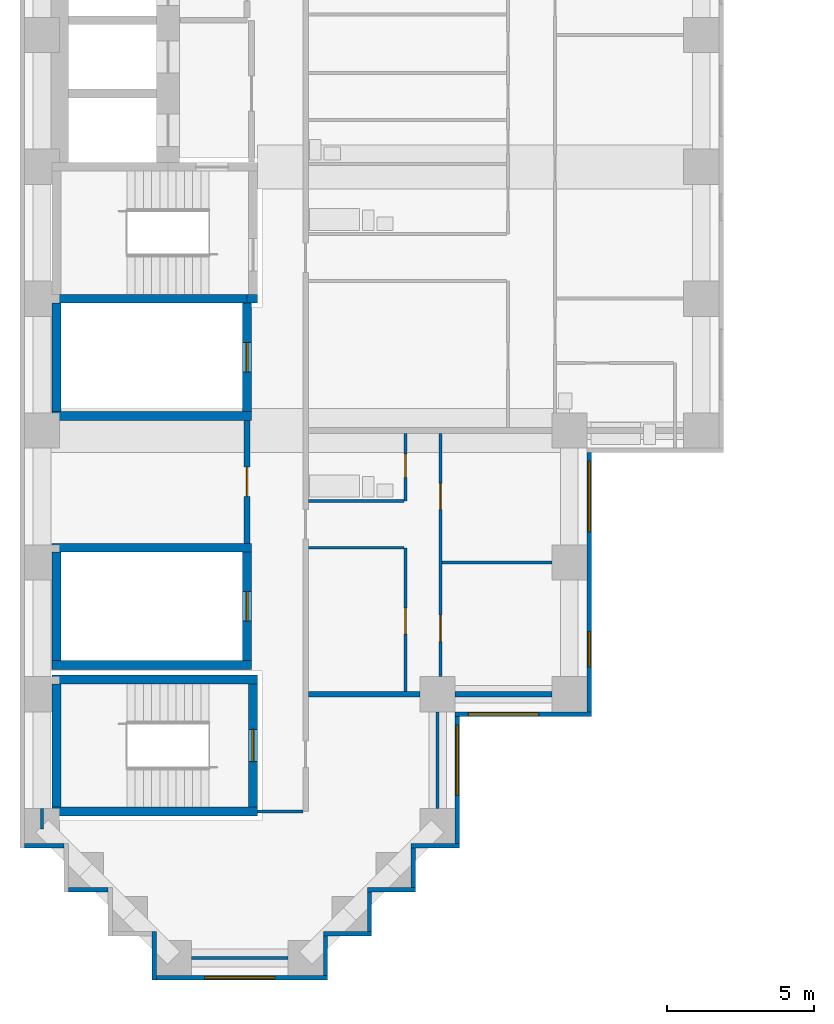
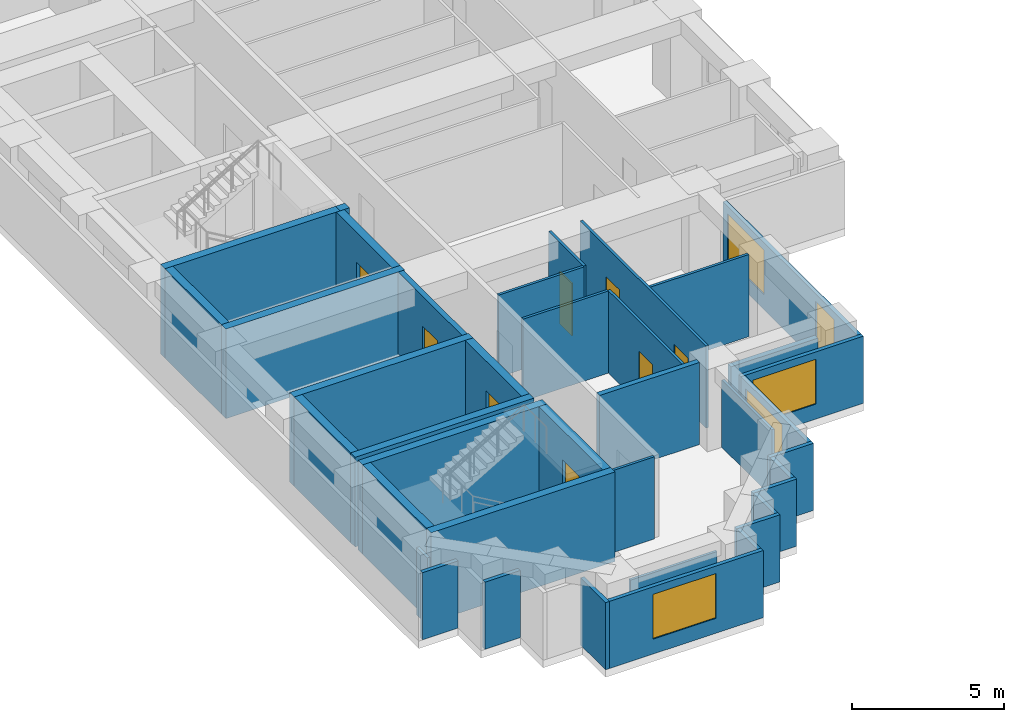
# One storey, part 2 of 12: 39 walls, 8 doors, 5 windows, 13 openings.
"""IFC4 building model written with IfcOpenShell, lengths in metres."""

from ifc_helpers import new_model, si_unit, direction, frame, frame_2d, origin, place, context, subcontext, project, spatial, rectangle, extrude, material, layer, layer_set, type_object, element, fill, save


model = new_model("IFC4")

# Units and contexts
model_context = context("Model", 3, precision=1e-05, world=origin(), true_north=direction((0.0, 1.0)))
body_context = subcontext(model_context, "Body", "Model", "MODEL_VIEW")
ifc_project = project(units=[si_unit("LENGTHUNIT", "METRE"), si_unit("AREAUNIT", "SQUARE_METRE"), si_unit("VOLUMEUNIT", "CUBIC_METRE"), si_unit("PLANEANGLEUNIT", "RADIAN"), si_unit("MASSUNIT", "GRAM", prefix="KILO")], contexts=[model_context])

# Site, building, storey
site_placement = place(None, origin())
site = spatial("IfcSite", under=ifc_project, at=site_placement, CompositionType="ELEMENT")
building_placement = place(site_placement, origin())
building = spatial("IfcBuilding", under=site, at=building_placement, Name="Firuza Court", CompositionType="ELEMENT")
storey_placement = place(building_placement, frame((0.0, 0.0, 101.0)))
storey = spatial("IfcBuildingStorey", under=building, at=storey_placement, Name="L25", CompositionType="ELEMENT", Elevation=101.0)

# Walls
ifc_material_1 = material(Name="Moisture-resistant gypsum board partition")
ifc_layer_1 = layer(ifc_material_1, 0.10009765625)
ifc_layer_set_1 = layer_set([ifc_layer_1], Name="Moisture-resistant gypsum board partition")
wall_type_1 = type_object("IfcWallType", Name="Bathroom partition 100", PredefinedType="PLUMBINGWALL", material=ifc_layer_set_1)
wall_1_placement = place(storey_placement, frame((9.10009765625, 15.60009765625, 0.0), z_axis=(0.0, 0.0, 1.0), x_axis=(1.0, 0.0, 0.0)))
element("IfcWall", 1, at=wall_1_placement, inside=storey, type_object=wall_type_1, Name="Bathroom partition 100 L25", PredefinedType="PLUMBINGWALL", context=body_context, shape_type="SweptSolid", body=[
    extrude(rectangle(XDim=3.25, YDim=0.10009765625, at=frame_2d((1.625, 0.0))), origin(), (0.0, 0.0, 1.0), 3.300048828125),
])
ifc_material_2 = material(Name="Concrete C60/75", Category="concrete")
ifc_layer_2 = layer(ifc_material_2, 0.300048828125)
ifc_layer_set_2 = layer_set([ifc_layer_2], Name="Concrete C60/75")
wall_type_2 = type_object("IfcWallType", Name="Core wall 300 C60/75", PredefinedType="SHEAR", material=ifc_layer_set_2)
for number, where, z_axis, x_axis, name in (
    (2, (0.35009765625, 5.0, -0.300048828125), (0.0, 0.0, 1.0), (1.0, 0.0, 0.0), "Core wall stair L25"),
    (3, (0.35009765625, 9.5, -0.300048828125), (0.0, 0.0, 1.0), (1.0, 0.0, 0.0), "Core wall stair L25"),
):
    element("IfcWall", number, at=place(storey_placement, frame(where, z_axis=z_axis, x_axis=x_axis)), inside=storey, type_object=wall_type_2, Name=name, PredefinedType="SHEAR", context=body_context, shape_type="SweptSolid", body=[
        extrude(rectangle(XDim=7.0, YDim=0.300048828125, at=frame_2d((3.5, 0.0))), origin(), (0.0, 0.0, 1.0), 3.60009765625),
    ])
for number, where, z_axis, x_axis, name in (
    (4, (0.35009765625, 10.0, -0.300048828125), (0.0, 0.0, 1.0), (1.0, 0.0, 0.0), "Core wall riser L25"),
    (5, (0.35009765625, 14.0, -0.300048828125), (0.0, 0.0, 1.0), (1.0, 0.0, 0.0), "Core wall riser L25"),
    (6, (0.35009765625, 18.5, -0.300048828125), (0.0, 0.0, 1.0), (1.0, 0.0, 0.0), "Core wall riser L25"),
):
    element("IfcWall", number, at=place(storey_placement, frame(where, z_axis=z_axis, x_axis=x_axis)), inside=storey, type_object=wall_type_2, Name=name, PredefinedType="SHEAR", context=body_context, shape_type="SweptSolid", body=[
        extrude(rectangle(XDim=6.7998046875, YDim=0.300048828125, at=frame_2d((3.39990234375, 0.0))), origin(), (0.0, 0.0, 1.0), 3.60009765625),
    ])
wall_2_placement = place(storey_placement, frame((0.35009765625, 22.5, -0.300048828125), z_axis=(0.0, 0.0, 1.0), x_axis=(1.0, 0.0, 0.0)))
element("IfcWall", 7, at=wall_2_placement, inside=storey, type_object=wall_type_2, Name="Core wall riser L25", PredefinedType="SHEAR", context=body_context, shape_type="SweptSolid", body=[
    extrude(rectangle(XDim=6.64990234375, YDim=0.300048828125, at=frame_2d((3.324951171875, 0.0))), origin(), (0.0, 0.0, 1.0), 3.60009765625),
])
wall_3_placement = place(storey_placement, frame((0.5, 5.14990234375, -0.300048828125), z_axis=(0.0, 0.0, 1.0), x_axis=(0.0, 1.0, 0.0)))
element("IfcWall", 8, at=wall_3_placement, inside=storey, type_object=wall_type_2, Name="Core wall stair L25", PredefinedType="SHEAR", context=body_context, shape_type="SweptSolid", body=[
    extrude(rectangle(XDim=4.2001953125, YDim=0.300048828125, at=frame_2d((2.10009765625, 0.0))), origin(), (0.0, 0.0, 1.0), 3.60009765625),
])
for number, where, z_axis, x_axis, name in (
    (9, (0.5, 10.14990234375, -0.300048828125), (0.0, 0.0, 1.0), (0.0, 1.0, 0.0), "Core wall riser L25"),
    (10, (0.5, 18.64990234375, -0.300048828125), (0.0, 0.0, 1.0), (0.0, 1.0, 0.0), "Core wall riser L25"),
):
    element("IfcWall", number, at=place(storey_placement, frame(where, z_axis=z_axis, x_axis=x_axis)), inside=storey, type_object=wall_type_2, Name=name, PredefinedType="SHEAR", context=body_context, shape_type="SweptSolid", body=[
        extrude(rectangle(XDim=3.7001953125, YDim=0.300048828125, at=frame_2d((1.85009765625, 0.0))), origin(), (0.0, 0.0, 1.0), 3.60009765625),
    ])

# Wall, opening, door
wall_4_placement = place(storey_placement, frame((7.0, 10.14990234375, -0.300048828125), z_axis=(0.0, 0.0, 1.0), x_axis=(0.0, 1.0, 0.0)))
wall_4 = element("IfcWall", 11, at=wall_4_placement, inside=storey, type_object=wall_type_2, Name="Core wall riser L25", PredefinedType="SHEAR", context=body_context, shape_type="SweptSolid", body=[
    extrude(rectangle(XDim=3.7001953125, YDim=0.300048828125, at=frame_2d((1.85009765625, 0.0))), origin(), (0.0, 0.0, 1.0), 3.60009765625),
])
opening_1_placement = place(wall_4_placement, frame((1.35009765625, 0.0, 0.300048828125)))
opening_1 = element("IfcOpeningElement", 12, at=opening_1_placement, cuts=wall_4, Name="Opening D25012", PredefinedType="OPENING", context=body_context, shape_type="SweptSolid", body=[
    extrude(rectangle(XDim=1.0, YDim=2.10009765625, at=frame_2d((0.5, 1.050048828125))), frame((0.0, 0.162109375, 0.0), z_axis=(0.0, -1.0, 0.0), x_axis=(1.0, 0.0, 0.0)), (0.0, 0.0, 1.0), 0.323974609375),
])
ifc_material_3 = material(Name="Timber door leaf in hardwood frame", Category="wood")
door_type_1 = type_object("IfcDoorType", Name="Riser door 1000", OperationType="SINGLE_SWING_LEFT", PredefinedType="DOOR", material=ifc_material_3)
door_1_placement = place(opening_1_placement, origin())
door_1 = element("IfcDoor", 13, at=door_1_placement, inside=storey, type_object=door_type_1, Name="Riser door R4", OperationType="SINGLE_SWING_LEFT", OverallHeight=2.10009765625, OverallWidth=1.0, PredefinedType="DOOR", context=body_context, shape_type="SweptSolid", body=[
    extrude(rectangle(XDim=1.0, YDim=2.10009765625, at=frame_2d((0.5, 1.050048828125))), frame((0.0, 0.02490234375, 0.0), z_axis=(0.0, -1.0, 0.0), x_axis=(1.0, 0.0, 0.0)), (0.0, 0.0, 1.0), 0.050048828125),
])
fill(opening_1, door_1)

wall_5_placement = place(storey_placement, frame((7.0, 18.64990234375, -0.300048828125), z_axis=(0.0, 0.0, 1.0), x_axis=(0.0, 1.0, 0.0)))
wall_5 = element("IfcWall", 14, at=wall_5_placement, inside=storey, type_object=wall_type_2, Name="Core wall riser L25", PredefinedType="SHEAR", context=body_context, shape_type="SweptSolid", body=[
    extrude(rectangle(XDim=3.7001953125, YDim=0.300048828125, at=frame_2d((1.85009765625, 0.0))), origin(), (0.0, 0.0, 1.0), 3.60009765625),
])
opening_2_placement = place(wall_5_placement, frame((1.35009765625, 0.0, 0.300048828125)))
opening_2 = element("IfcOpeningElement", 15, at=opening_2_placement, cuts=wall_5, Name="Opening D25010", PredefinedType="OPENING", context=body_context, shape_type="SweptSolid", body=[
    extrude(rectangle(XDim=1.0, YDim=2.10009765625, at=frame_2d((0.5, 1.050048828125))), frame((0.0, 0.162109375, 0.0), z_axis=(0.0, -1.0, 0.0), x_axis=(1.0, 0.0, 0.0)), (0.0, 0.0, 1.0), 0.323974609375),
])
door_2_placement = place(opening_2_placement, origin())
door_2 = element("IfcDoor", 16, at=door_2_placement, inside=storey, type_object=door_type_1, Name="Riser door R1", OperationType="SINGLE_SWING_LEFT", OverallHeight=2.10009765625, OverallWidth=1.0, PredefinedType="DOOR", context=body_context, shape_type="SweptSolid", body=[
    extrude(rectangle(XDim=1.0, YDim=2.10009765625, at=frame_2d((0.5, 1.050048828125))), frame((0.0, 0.02490234375, 0.0), z_axis=(0.0, -1.0, 0.0), x_axis=(1.0, 0.0, 0.0)), (0.0, 0.0, 1.0), 0.050048828125),
])
fill(opening_2, door_2)

# Wall
wall_6_placement = place(storey_placement, frame((7.0, 22.5, -0.300048828125), z_axis=(0.0, 0.0, 1.0), x_axis=(1.0, 0.0, 0.0)))
element("IfcWall", 17, at=wall_6_placement, inside=storey, type_object=wall_type_2, Name="Core wall stair L25", PredefinedType="SHEAR", context=body_context, shape_type="SweptSolid", body=[
    extrude(rectangle(XDim=0.35009765625, YDim=0.300048828125, at=frame_2d((0.175048828125, 0.0))), origin(), (0.0, 0.0, 1.0), 3.60009765625),
])

# Wall, opening, door
wall_7_placement = place(storey_placement, frame((7.199951171875, 5.14990234375, -0.300048828125), z_axis=(0.0, 0.0, 1.0), x_axis=(0.0, 1.0, 0.0)))
wall_7 = element("IfcWall", 18, at=wall_7_placement, inside=storey, type_object=wall_type_2, Name="Core wall stair L25", PredefinedType="SHEAR", context=body_context, shape_type="SweptSolid", body=[
    extrude(rectangle(XDim=4.2001953125, YDim=0.300048828125, at=frame_2d((2.10009765625, 0.0))), origin(), (0.0, 0.0, 1.0), 3.60009765625),
])
opening_3_placement = place(wall_7_placement, frame((1.550048828125, 0.0, 0.300048828125)))
opening_3 = element("IfcOpeningElement", 19, at=opening_3_placement, cuts=wall_7, Name="Opening D25018", PredefinedType="OPENING", context=body_context, shape_type="SweptSolid", body=[
    extrude(rectangle(XDim=1.10009765625, YDim=2.10009765625, at=frame_2d((0.550048828125, 1.050048828125))), frame((0.0, 0.162109375, 0.0), z_axis=(0.0, -1.0, 0.0), x_axis=(1.0, 0.0, 0.0)), (0.0, 0.0, 1.0), 0.323974609375),
])
ifc_material_4 = material(Name="Timber door leaf in hardwood frame", Category="wood")
door_type_2 = type_object("IfcDoorType", Name="Stair door 1100", OperationType="SINGLE_SWING_LEFT", PredefinedType="DOOR", material=ifc_material_4)
door_3_placement = place(opening_3_placement, origin())
door_3 = element("IfcDoor", 20, at=door_3_placement, inside=storey, type_object=door_type_2, Name="Stair door S5", OperationType="SINGLE_SWING_LEFT", OverallHeight=2.10009765625, OverallWidth=1.10009765625, PredefinedType="DOOR", context=body_context, shape_type="SweptSolid", body=[
    extrude(rectangle(XDim=1.10009765625, YDim=2.10009765625, at=frame_2d((0.550048828125, 1.050048828125))), frame((0.0, 0.02490234375, 0.0), z_axis=(0.0, -1.0, 0.0), x_axis=(1.0, 0.0, 0.0)), (0.0, 0.0, 1.0), 0.050048828125),
])
fill(opening_3, door_3)

ifc_material_5 = material(Name="Blockwork, plastered both sides", Category="masonry")
ifc_layer_3 = layer(ifc_material_5, 0.199951171875)
ifc_layer_set_3 = layer_set([ifc_layer_3], Name="Blockwork, plastered both sides")
wall_type_3 = type_object("IfcWallType", Name="Corridor wall 200", PredefinedType="PARTITIONING", material=ifc_layer_set_3)
wall_8_placement = place(storey_placement, frame((7.0, 14.14990234375, 0.0), z_axis=(0.0, 0.0, 1.0), x_axis=(0.0, 1.0, 0.0)))
wall_8 = element("IfcWall", 21, at=wall_8_placement, inside=storey, type_object=wall_type_3, Name="Corridor wall 200 L25", PredefinedType="PARTITIONING", context=body_context, shape_type="SweptSolid", body=[
    extrude(rectangle(XDim=4.2001953125, YDim=0.199951171875, at=frame_2d((2.10009765625, 0.0))), origin(), (0.0, 0.0, 1.0), 3.300048828125),
])
opening_4_placement = place(wall_8_placement, frame((1.60009765625, 0.0, 0.0)))
opening_4 = element("IfcOpeningElement", 22, at=opening_4_placement, cuts=wall_8, Name="Opening D25026", PredefinedType="OPENING", context=body_context, shape_type="SweptSolid", body=[
    extrude(rectangle(XDim=1.0, YDim=2.10009765625, at=frame_2d((0.5, 1.050048828125))), frame((0.0, 0.11181640625, 0.0), z_axis=(0.0, -1.0, 0.0), x_axis=(1.0, 0.0, 0.0)), (0.0, 0.0, 1.0), 0.223876953125),
])
ifc_material_6 = material(Name="Timber door leaf in hardwood frame", Category="wood")
door_type_3 = type_object("IfcDoorType", Name="Store door 1000", OperationType="SINGLE_SWING_LEFT", PredefinedType="DOOR", material=ifc_material_6)
door_4_placement = place(opening_4_placement, origin())
door_4 = element("IfcDoor", 23, at=door_4_placement, inside=storey, type_object=door_type_3, Name="Parcel room door", OperationType="SINGLE_SWING_LEFT", OverallHeight=2.10009765625, OverallWidth=1.0, PredefinedType="DOOR", context=body_context, shape_type="SweptSolid", body=[
    extrude(rectangle(XDim=1.0, YDim=2.10009765625, at=frame_2d((0.5, 1.050048828125))), frame((0.0, 0.02490234375, 0.0), z_axis=(0.0, -1.0, 0.0), x_axis=(1.0, 0.0, 0.0)), (0.0, 0.0, 1.0), 0.050048828125),
])
fill(opening_4, door_4)

# Walls
ifc_material_7 = material(Name="Timber stud partition, plasterboard both sides", Category="wood")
ifc_layer_4 = layer(ifc_material_7, 0.10009765625)
ifc_layer_set_4 = layer_set([ifc_layer_4], Name="Timber stud partition, plasterboard both sides")
wall_type_4 = type_object("IfcWallType", Name="Partition wall 100", PredefinedType="PARTITIONING", material=ifc_layer_set_4)
wall_9_placement = place(storey_placement, frame((5.10009765625, 0.0, 0.0), z_axis=(0.0, 0.0, 1.0), x_axis=(1.0, 0.0, 0.0)))
element("IfcWall", 24, at=wall_9_placement, inside=storey, type_object=wall_type_4, Name="Partition wall 100 L25", PredefinedType="PARTITIONING", context=body_context, shape_type="SweptSolid", body=[
    extrude(rectangle(XDim=3.2998046875, YDim=0.10009765625, at=frame_2d((1.64990234375, 0.0))), origin(), (0.0, 0.0, 1.0), 2.699951171875),
])
wall_10_placement = place(storey_placement, frame((0.0, 4.39990234375, 0.0), z_axis=(0.0, 0.0, 1.0), x_axis=(0.0, 1.0, 0.0)))
element("IfcWall", 25, at=wall_10_placement, inside=storey, type_object=wall_type_4, Name="Partition wall 100 L25", PredefinedType="PARTITIONING", context=body_context, shape_type="SweptSolid", body=[
    extrude(rectangle(XDim=0.7001953125, YDim=0.10009765625, at=frame_2d((0.35009765625, 0.0))), origin(), (0.0, 0.0, 1.0), 2.699951171875),
])
wall_11_placement = place(storey_placement, frame((7.34912109375, 5.0, 0.0), z_axis=(0.0, 0.0, 1.0), x_axis=(1.0, 0.0, 0.0)))
element("IfcWall", 26, at=wall_11_placement, inside=storey, type_object=wall_type_4, Name="Partition wall 100 L25", PredefinedType="PARTITIONING", context=body_context, shape_type="SweptSolid", body=[
    extrude(rectangle(XDim=1.55078125, YDim=0.10009765625, at=frame_2d((0.775390625, 0.0))), origin(), (0.0, 0.0, 1.0), 3.300048828125),
])
wall_12_placement = place(storey_placement, frame((13.5, 5.10009765625, 0.0), z_axis=(0.0, 0.0, 1.0), x_axis=(0.0, 1.0, 0.0)))
element("IfcWall", 27, at=wall_12_placement, inside=storey, type_object=wall_type_4, Name="Partition wall 100 L25", PredefinedType="PARTITIONING", context=body_context, shape_type="SweptSolid", body=[
    extrude(rectangle(XDim=3.2998046875, YDim=0.10009765625, at=frame_2d((1.64990234375, 0.0))), origin(), (0.0, 0.0, 1.0), 2.699951171875),
])

# Wall, opening, door
wall_13_placement = place(storey_placement, frame((12.39990234375, 9.10009765625, 0.0), z_axis=(0.0, 0.0, 1.0), x_axis=(0.0, 1.0, 0.0)))
wall_13 = element("IfcWall", 28, at=wall_13_placement, inside=storey, type_object=wall_type_4, Name="Partition wall 100 L25", PredefinedType="PARTITIONING", context=body_context, shape_type="SweptSolid", body=[
    extrude(rectangle(XDim=4.89990234375, YDim=0.10009765625, at=frame_2d((2.449951171875, 0.0))), origin(), (0.0, 0.0, 1.0), 3.300048828125),
])
opening_5_placement = place(wall_13_placement, frame((1.949951171875, 0.0, 0.0)))
opening_5 = element("IfcOpeningElement", 29, at=opening_5_placement, cuts=wall_13, Name="Opening D25023", PredefinedType="OPENING", context=body_context, shape_type="SweptSolid", body=[
    extrude(rectangle(XDim=0.89990234375, YDim=2.10009765625, at=frame_2d((0.449951171875, 1.050048828125))), frame((0.0, 0.06201171875, 0.0), z_axis=(0.0, -1.0, 0.0), x_axis=(1.0, 0.0, 0.0)), (0.0, 0.0, 1.0), 0.1240234375),
])
ifc_material_8 = material(Name="Timber door leaf in hardwood frame", Category="wood")
door_type_4 = type_object("IfcDoorType", Name="Room door 900", OperationType="SINGLE_SWING_LEFT", PredefinedType="DOOR", material=ifc_material_8)
door_5_placement = place(opening_5_placement, origin())
door_5 = element("IfcDoor", 30, at=door_5_placement, inside=storey, type_object=door_type_4, Name="Kitchen door", OperationType="SINGLE_SWING_LEFT", OverallHeight=2.10009765625, OverallWidth=0.89990234375, PredefinedType="DOOR", context=body_context, shape_type="SweptSolid", body=[
    extrude(rectangle(XDim=0.89990234375, YDim=2.10009765625, at=frame_2d((0.449951171875, 1.050048828125))), frame((0.0, 0.02490234375, 0.0), z_axis=(0.0, -1.0, 0.0), x_axis=(1.0, 0.0, 0.0)), (0.0, 0.0, 1.0), 0.050048828125),
])
fill(opening_5, door_5)

# Wall, openings, doors
wall_14_placement = place(storey_placement, frame((13.60009765625, 9.60009765625, 0.0), z_axis=(0.0, 0.0, 1.0), x_axis=(0.0, 1.0, 0.0)))
wall_14 = element("IfcWall", 31, at=wall_14_placement, inside=storey, type_object=wall_type_4, Name="Partition wall 100 L25", PredefinedType="PARTITIONING", context=body_context, shape_type="SweptSolid", body=[
    extrude(rectangle(XDim=8.2998046875, YDim=0.10009765625, at=frame_2d((4.14990234375, 0.0))), origin(), (0.0, 0.0, 1.0), 3.300048828125),
])
opening_6_placement = place(wall_14_placement, frame((1.199951171875, 0.0, 0.0)))
opening_6 = element("IfcOpeningElement", 32, at=opening_6_placement, cuts=wall_14, Name="Opening D25024", PredefinedType="OPENING", context=body_context, shape_type="SweptSolid", body=[
    extrude(rectangle(XDim=0.89990234375, YDim=2.10009765625, at=frame_2d((0.449951171875, 1.050048828125))), frame((0.0, 0.06201171875, 0.0), z_axis=(0.0, -1.0, 0.0), x_axis=(1.0, 0.0, 0.0)), (0.0, 0.0, 1.0), 0.1240234375),
])
opening_7_placement = place(wall_14_placement, frame((5.699951171875, 0.0, 0.0)))
opening_7 = element("IfcOpeningElement", 33, at=opening_7_placement, cuts=wall_14, Name="Opening D25025", PredefinedType="OPENING", context=body_context, shape_type="SweptSolid", body=[
    extrude(rectangle(XDim=0.89990234375, YDim=2.10009765625, at=frame_2d((0.449951171875, 1.050048828125))), frame((0.0, 0.06201171875, 0.0), z_axis=(0.0, -1.0, 0.0), x_axis=(1.0, 0.0, 0.0)), (0.0, 0.0, 1.0), 0.1240234375),
])
door_6_placement = place(opening_6_placement, frame((0.89990234375, 0.0, 0.0), z_axis=(0.0, 0.0, 1.0), x_axis=(-1.0, 0.0, 0.0)))
door_6 = element("IfcDoor", 34, at=door_6_placement, inside=storey, type_object=door_type_4, Name="Living room door", OperationType="SINGLE_SWING_RIGHT", OverallHeight=2.10009765625, OverallWidth=0.89990234375, PredefinedType="DOOR", context=body_context, shape_type="SweptSolid", body=[
    extrude(rectangle(XDim=0.89990234375, YDim=2.10009765625, at=frame_2d((0.449951171875, 1.050048828125))), frame((0.0, 0.02490234375, 0.0), z_axis=(0.0, -1.0, 0.0), x_axis=(1.0, 0.0, 0.0)), (0.0, 0.0, 1.0), 0.050048828125),
])
fill(opening_6, door_6)
door_7_placement = place(opening_7_placement, frame((0.89990234375, 0.0, 0.0), z_axis=(0.0, 0.0, 1.0), x_axis=(-1.0, 0.0, 0.0)))
door_7 = element("IfcDoor", 35, at=door_7_placement, inside=storey, type_object=door_type_4, Name="Bedroom door", OperationType="SINGLE_SWING_RIGHT", OverallHeight=2.10009765625, OverallWidth=0.89990234375, PredefinedType="DOOR", context=body_context, shape_type="SweptSolid", body=[
    extrude(rectangle(XDim=0.89990234375, YDim=2.10009765625, at=frame_2d((0.449951171875, 1.050048828125))), frame((0.0, 0.02490234375, 0.0), z_axis=(0.0, -1.0, 0.0), x_axis=(1.0, 0.0, 0.0)), (0.0, 0.0, 1.0), 0.050048828125),
])
fill(opening_7, door_7)

# Walls
wall_15_placement = place(storey_placement, frame((13.64990234375, 13.5, 0.0), z_axis=(0.0, 0.0, 1.0), x_axis=(1.0, 0.0, 0.0)))
element("IfcWall", 36, at=wall_15_placement, inside=storey, type_object=wall_type_4, Name="Partition wall 100 L25", PredefinedType="PARTITIONING", context=body_context, shape_type="SweptSolid", body=[
    extrude(rectangle(XDim=3.75, YDim=0.10009765625, at=frame_2d((1.875, 0.0))), origin(), (0.0, 0.0, 1.0), 3.300048828125),
])
wall_16_placement = place(storey_placement, frame((9.10009765625, 14.0, 0.0), z_axis=(0.0, 0.0, 1.0), x_axis=(1.0, 0.0, 0.0)))
element("IfcWall", 37, at=wall_16_placement, inside=storey, type_object=wall_type_4, Name="Partition wall 100 L25", PredefinedType="PARTITIONING", context=body_context, shape_type="SweptSolid", body=[
    extrude(rectangle(XDim=3.25, YDim=0.10009765625, at=frame_2d((1.625, 0.0))), origin(), (0.0, 0.0, 1.0), 3.300048828125),
])

# Wall, opening, door
wall_17_placement = place(storey_placement, frame((12.39990234375, 15.60009765625, 0.0), z_axis=(0.0, 0.0, 1.0), x_axis=(0.0, 1.0, 0.0)))
wall_17 = element("IfcWall", 38, at=wall_17_placement, inside=storey, type_object=wall_type_4, Name="Partition wall 100 L25", PredefinedType="PARTITIONING", context=body_context, shape_type="SweptSolid", body=[
    extrude(rectangle(XDim=2.2998046875, YDim=0.10009765625, at=frame_2d((1.14990234375, 0.0))), origin(), (0.0, 0.0, 1.0), 3.300048828125),
])
opening_8_placement = place(wall_17_placement, frame((0.800048828125, 0.0, 0.0)))
opening_8 = element("IfcOpeningElement", 39, at=opening_8_placement, cuts=wall_17, Name="Opening D25027", PredefinedType="OPENING", context=body_context, shape_type="SweptSolid", body=[
    extrude(rectangle(XDim=0.800048828125, YDim=2.10009765625, at=frame_2d((0.39990234375, 1.050048828125))), frame((0.0, 0.06201171875, 0.0), z_axis=(0.0, -1.0, 0.0), x_axis=(1.0, 0.0, 0.0)), (0.0, 0.0, 1.0), 0.1240234375),
])
ifc_material_9 = material(Name="Timber door leaf in hardwood frame", Category="wood")
door_type_5 = type_object("IfcDoorType", Name="Bathroom door 800", OperationType="SINGLE_SWING_LEFT", PredefinedType="DOOR", material=ifc_material_9)
door_8_placement = place(opening_8_placement, origin())
door_8 = element("IfcDoor", 40, at=door_8_placement, inside=storey, type_object=door_type_5, Name="Bathroom door", OperationType="SINGLE_SWING_LEFT", OverallHeight=2.10009765625, OverallWidth=0.800048828125, PredefinedType="DOOR", context=body_context, shape_type="SweptSolid", body=[
    extrude(rectangle(XDim=0.800048828125, YDim=2.10009765625, at=frame_2d((0.39990234375, 1.050048828125))), frame((0.0, 0.02490234375, 0.0), z_axis=(0.0, -1.0, 0.0), x_axis=(1.0, 0.0, 0.0)), (0.0, 0.0, 1.0), 0.050048828125),
])
fill(opening_8, door_8)

# Walls
ifc_layer_5 = layer(ifc_material_5, 0.199951171875)
ifc_layer_set_5 = layer_set([ifc_layer_5], Name="Blockwork, plastered both sides")
wall_type_5 = type_object("IfcWallType", Name="Party wall 200", PredefinedType="PARTITIONING", material=ifc_layer_set_5)
wall_18_placement = place(storey_placement, frame((9.10009765625, 9.0, 0.0), z_axis=(0.0, 0.0, 1.0), x_axis=(1.0, 0.0, 0.0)))
element("IfcWall", 41, at=wall_18_placement, inside=storey, type_object=wall_type_5, Name="Party wall 200 L25", PredefinedType="PARTITIONING", context=body_context, shape_type="SweptSolid", body=[
    extrude(rectangle(XDim=3.7998046875, YDim=0.199951171875, at=frame_2d((1.89990234375, 0.0))), origin(), (0.0, 0.0, 1.0), 3.300048828125),
])
wall_19_placement = place(storey_placement, frame((14.10009765625, 9.0, 0.0), z_axis=(0.0, 0.0, 1.0), x_axis=(1.0, 0.0, 0.0)))
element("IfcWall", 42, at=wall_19_placement, inside=storey, type_object=wall_type_5, Name="Party wall 200 L25", PredefinedType="PARTITIONING", context=body_context, shape_type="SweptSolid", body=[
    extrude(rectangle(XDim=3.2998046875, YDim=0.199951171875, at=frame_2d((1.64990234375, 0.0))), origin(), (0.0, 0.0, 1.0), 2.699951171875),
])
ifc_material_10 = material(Name="Ceramic tile", Category="ceramic")
ifc_layer_6 = layer(ifc_material_10, 0.02001953125)
ifc_material_11 = material(Name="Mineral wool insulation", Category="insulation")
ifc_layer_7 = layer(ifc_material_11, 0.050048828125)
ifc_material_12 = material(Name="Concrete C40/50 precast", Category="concrete")
ifc_layer_8 = layer(ifc_material_12, 0.080078125)
ifc_layer_set_6 = layer_set([ifc_layer_6, ifc_layer_7, ifc_layer_8], Name="Concrete C40/50 precast")
wall_type_6 = type_object("IfcWallType", Name="Precast cladding wall with turquoise TILE PANEL face 150", PredefinedType="STANDARD", material=ifc_layer_set_6)
wall_20_placement = place(storey_placement, frame((9.675048828125, -0.60009765625, 0.0), z_axis=(0.0, 0.0, 1.0), x_axis=(0.0, 1.0, 0.0)))
element("IfcWall", 43, at=wall_20_placement, inside=storey, type_object=wall_type_6, Name="Facade wall L25 E", PredefinedType="STANDARD", context=body_context, shape_type="SweptSolid", body=[
    extrude(rectangle(XDim=1.35009765625, YDim=0.14990234375, at=frame_2d((0.675048828125, 0.0))), origin(), (0.0, 0.0, 1.0), 2.699951171875),
])
wall_21_placement = place(storey_placement, frame((9.60009765625, 0.824951171875, 0.0), z_axis=(0.0, 0.0, 1.0), x_axis=(1.0, 0.0, 0.0)))
element("IfcWall", 44, at=wall_21_placement, inside=storey, type_object=wall_type_6, Name="Facade wall L25 S", PredefinedType="STANDARD", context=body_context, shape_type="SweptSolid", body=[
    extrude(rectangle(XDim=1.64990234375, YDim=0.14990234375, at=frame_2d((0.824951171875, 0.0))), origin(), (0.0, 0.0, 1.0), 2.699951171875),
])
wall_22_placement = place(storey_placement, frame((11.175048828125, 0.89990234375, 0.0), z_axis=(0.0, 0.0, 1.0), x_axis=(0.0, 1.0, 0.0)))
element("IfcWall", 45, at=wall_22_placement, inside=storey, type_object=wall_type_6, Name="Facade wall L25 E", PredefinedType="STANDARD", context=body_context, shape_type="SweptSolid", body=[
    extrude(rectangle(XDim=1.35009765625, YDim=0.14990234375, at=frame_2d((0.675048828125, 0.0))), origin(), (0.0, 0.0, 1.0), 2.699951171875),
])
wall_23_placement = place(storey_placement, frame((11.10009765625, 2.324951171875, 0.0), z_axis=(0.0, 0.0, 1.0), x_axis=(1.0, 0.0, 0.0)))
element("IfcWall", 46, at=wall_23_placement, inside=storey, type_object=wall_type_6, Name="Facade wall L25 S", PredefinedType="STANDARD", context=body_context, shape_type="SweptSolid", body=[
    extrude(rectangle(XDim=1.64990234375, YDim=0.14990234375, at=frame_2d((0.824951171875, 0.0))), origin(), (0.0, 0.0, 1.0), 2.699951171875),
])
wall_24_placement = place(storey_placement, frame((12.675048828125, 2.39990234375, 0.0), z_axis=(0.0, 0.0, 1.0), x_axis=(0.0, 1.0, 0.0)))
element("IfcWall", 47, at=wall_24_placement, inside=storey, type_object=wall_type_6, Name="Facade wall L25 E", PredefinedType="STANDARD", context=body_context, shape_type="SweptSolid", body=[
    extrude(rectangle(XDim=1.35009765625, YDim=0.14990234375, at=frame_2d((0.675048828125, 0.0))), origin(), (0.0, 0.0, 1.0), 2.699951171875),
])
wall_25_placement = place(storey_placement, frame((12.60009765625, 3.824951171875, 0.0), z_axis=(0.0, 0.0, 1.0), x_axis=(1.0, 0.0, 0.0)))
element("IfcWall", 48, at=wall_25_placement, inside=storey, type_object=wall_type_6, Name="Facade wall L25 S", PredefinedType="STANDARD", context=body_context, shape_type="SweptSolid", body=[
    extrude(rectangle(XDim=1.64990234375, YDim=0.14990234375, at=frame_2d((0.824951171875, 0.0))), origin(), (0.0, 0.0, 1.0), 2.699951171875),
])

# Wall, opening, window
wall_26_placement = place(storey_placement, frame((14.175048828125, 3.89990234375, 0.0), z_axis=(0.0, 0.0, 1.0), x_axis=(0.0, 1.0, 0.0)))
wall_26 = element("IfcWall", 49, at=wall_26_placement, inside=storey, type_object=wall_type_6, Name="Facade wall L25 E", PredefinedType="STANDARD", context=body_context, shape_type="SweptSolid", body=[
    extrude(rectangle(XDim=4.35009765625, YDim=0.14990234375, at=frame_2d((2.175048828125, 0.0))), origin(), (0.0, 0.0, 1.0), 2.699951171875),
])
opening_9_placement = place(wall_26_placement, frame((1.64990234375, 0.0, 0.60009765625)))
opening_9 = element("IfcOpeningElement", 50, at=opening_9_placement, cuts=wall_26, Name="Opening W1", PredefinedType="OPENING", context=body_context, shape_type="SweptSolid", body=[
    extrude(rectangle(XDim=2.39990234375, YDim=1.800048828125, at=frame_2d((1.199951171875, 0.89990234375))), frame((0.0, 0.0869140625, 0.0), z_axis=(0.0, -1.0, 0.0), x_axis=(1.0, 0.0, 0.0)), (0.0, 0.0, 1.0), 0.173828125),
])
ifc_material_13 = material(Name="Aluminium frame, triple clear glazing", Category="aluminium")
window_type_1 = type_object("IfcWindowType", Name="Window W1 2400 x 1800", PartitioningType="SINGLE_PANEL", PredefinedType="WINDOW", material=ifc_material_13)
window_1_placement = place(opening_9_placement, origin())
window_1 = element("IfcWindow", 51, at=window_1_placement, inside=storey, type_object=window_type_1, Name="Window L25", OverallHeight=1.800048828125, OverallWidth=2.39990234375, PartitioningType="SINGLE_PANEL", PredefinedType="WINDOW", context=body_context, shape_type="SweptSolid", body=[
    extrude(rectangle(XDim=2.39990234375, YDim=1.800048828125, at=frame_2d((1.199951171875, 0.89990234375))), frame((0.0, 0.030029296875, 0.0), z_axis=(0.0, -1.0, 0.0), x_axis=(1.0, 0.0, 0.0)), (0.0, 0.0, 1.0), 0.06005859375),
])
fill(opening_9, window_1)

wall_27_placement = place(storey_placement, frame((14.10009765625, 8.324951171875, 0.0), z_axis=(0.0, 0.0, 1.0), x_axis=(1.0, 0.0, 0.0)))
wall_27 = element("IfcWall", 52, at=wall_27_placement, inside=storey, type_object=wall_type_6, Name="Facade wall L25 S", PredefinedType="STANDARD", context=body_context, shape_type="SweptSolid", body=[
    extrude(rectangle(XDim=4.64990234375, YDim=0.14990234375, at=frame_2d((2.324951171875, 0.0))), origin(), (0.0, 0.0, 1.0), 2.699951171875),
])
opening_10_placement = place(wall_27_placement, frame((0.449951171875, 0.0, 0.60009765625)))
opening_10 = element("IfcOpeningElement", 53, at=opening_10_placement, cuts=wall_27, Name="Opening W1", PredefinedType="OPENING", context=body_context, shape_type="SweptSolid", body=[
    extrude(rectangle(XDim=2.39990234375, YDim=1.800048828125, at=frame_2d((1.199951171875, 0.89990234375))), frame((0.0, 0.0869140625, 0.0), z_axis=(0.0, -1.0, 0.0), x_axis=(1.0, 0.0, 0.0)), (0.0, 0.0, 1.0), 0.173828125),
])
window_2_placement = place(opening_10_placement, origin())
window_2 = element("IfcWindow", 54, at=window_2_placement, inside=storey, type_object=window_type_1, Name="Window L25", OverallHeight=1.800048828125, OverallWidth=2.39990234375, PartitioningType="SINGLE_PANEL", PredefinedType="WINDOW", context=body_context, shape_type="SweptSolid", body=[
    extrude(rectangle(XDim=2.39990234375, YDim=1.800048828125, at=frame_2d((1.199951171875, 0.89990234375))), frame((0.0, 0.030029296875, 0.0), z_axis=(0.0, -1.0, 0.0), x_axis=(1.0, 0.0, 0.0)), (0.0, 0.0, 1.0), 0.06005859375),
])
fill(opening_10, window_2)

# Wall, openings, windows
wall_28_placement = place(storey_placement, frame((18.675048828125, 8.39990234375, 0.0), z_axis=(0.0, 0.0, 1.0), x_axis=(0.0, 1.0, 0.0)))
wall_28 = element("IfcWall", 55, at=wall_28_placement, inside=storey, type_object=wall_type_6, Name="Facade wall L25 E", PredefinedType="STANDARD", context=body_context, shape_type="SweptSolid", body=[
    extrude(rectangle(XDim=8.85009765625, YDim=0.14990234375, at=frame_2d((4.425048828125, 0.0))), origin(), (0.0, 0.0, 1.0), 2.699951171875),
])
opening_11_placement = place(wall_28_placement, frame((1.53515625, 0.0, 0.60009765625)))
opening_11 = element("IfcOpeningElement", 56, at=opening_11_placement, cuts=wall_28, Name="Opening W8", PredefinedType="OPENING", context=body_context, shape_type="SweptSolid", body=[
    extrude(rectangle(XDim=1.199951171875, YDim=1.800048828125, at=frame_2d((0.60009765625, 0.89990234375))), frame((0.0, 0.0869140625, 0.0), z_axis=(0.0, -1.0, 0.0), x_axis=(1.0, 0.0, 0.0)), (0.0, 0.0, 1.0), 0.173828125),
])
opening_12_placement = place(wall_28_placement, frame((6.14990234375, 0.0, 0.60009765625)))
opening_12 = element("IfcOpeningElement", 57, at=opening_12_placement, cuts=wall_28, Name="Opening W1", PredefinedType="OPENING", context=body_context, shape_type="SweptSolid", body=[
    extrude(rectangle(XDim=2.39990234375, YDim=1.800048828125, at=frame_2d((1.199951171875, 0.89990234375))), frame((0.0, 0.0869140625, 0.0), z_axis=(0.0, -1.0, 0.0), x_axis=(1.0, 0.0, 0.0)), (0.0, 0.0, 1.0), 0.173828125),
])
window_3_placement = place(opening_12_placement, origin())
window_3 = element("IfcWindow", 58, at=window_3_placement, inside=storey, type_object=window_type_1, Name="Window L25", OverallHeight=1.800048828125, OverallWidth=2.39990234375, PartitioningType="SINGLE_PANEL", PredefinedType="WINDOW", context=body_context, shape_type="SweptSolid", body=[
    extrude(rectangle(XDim=2.39990234375, YDim=1.800048828125, at=frame_2d((1.199951171875, 0.89990234375))), frame((0.0, 0.030029296875, 0.0), z_axis=(0.0, -1.0, 0.0), x_axis=(1.0, 0.0, 0.0)), (0.0, 0.0, 1.0), 0.06005859375),
])
fill(opening_12, window_3)
ifc_material_14 = material(Name="Aluminium frame, triple clear glazing", Category="aluminium")
window_type_2 = type_object("IfcWindowType", Name="Window W8 1200 x 1800", PartitioningType="SINGLE_PANEL", PredefinedType="WINDOW", material=ifc_material_14)
window_4_placement = place(opening_11_placement, origin())
window_4 = element("IfcWindow", 59, at=window_4_placement, inside=storey, type_object=window_type_2, Name="Window L25", OverallHeight=1.800048828125, OverallWidth=1.199951171875, PartitioningType="SINGLE_PANEL", PredefinedType="WINDOW", context=body_context, shape_type="SweptSolid", body=[
    extrude(rectangle(XDim=1.199951171875, YDim=1.800048828125, at=frame_2d((0.60009765625, 0.89990234375))), frame((0.0, 0.030029296875, 0.0), z_axis=(0.0, -1.0, 0.0), x_axis=(1.0, 0.0, 0.0)), (0.0, 0.0, 1.0), 0.06005859375),
])
fill(opening_11, window_4)

# Walls
for number, where, z_axis, x_axis, name in (
    (60, (-0.60009765625, 3.824951171875, 0.0), (0.0, 0.0, 1.0), (1.0, 0.0, 0.0), "Facade wall L25 S"),
    (61, (0.89990234375, 2.324951171875, 0.0), (0.0, 0.0, 1.0), (1.0, 0.0, 0.0), "Facade wall L25 S"),
):
    element("IfcWall", number, at=place(storey_placement, frame(where, z_axis=z_axis, x_axis=x_axis)), inside=storey, type_object=wall_type_6, Name=name, PredefinedType="STANDARD", context=body_context, shape_type="SweptSolid", body=[
        extrude(rectangle(XDim=1.35009765625, YDim=0.14990234375, at=frame_2d((0.675048828125, 0.0))), origin(), (0.0, 0.0, 1.0), 2.699951171875),
    ])
wall_29_placement = place(storey_placement, frame((3.824951171875, 0.89990234375, 0.0), z_axis=(0.0, 0.0, 1.0), x_axis=(0.0, -1.0, 0.0)))
element("IfcWall", 62, at=wall_29_placement, inside=storey, type_object=wall_type_6, Name="Facade wall L25 W", PredefinedType="STANDARD", context=body_context, shape_type="SweptSolid", body=[
    extrude(rectangle(XDim=1.64990234375, YDim=0.14990234375, at=frame_2d((0.824951171875, 0.0))), origin(), (0.0, 0.0, 1.0), 2.699951171875),
])

# Wall, opening, window
wall_30_placement = place(storey_placement, frame((3.89990234375, -0.675048828125, 0.0), z_axis=(0.0, 0.0, 1.0), x_axis=(1.0, 0.0, 0.0)))
wall_30 = element("IfcWall", 63, at=wall_30_placement, inside=storey, type_object=wall_type_6, Name="Facade wall L25 S", PredefinedType="STANDARD", context=body_context, shape_type="SweptSolid", body=[
    extrude(rectangle(XDim=5.85009765625, YDim=0.14990234375, at=frame_2d((2.925048828125, 0.0))), origin(), (0.0, 0.0, 1.0), 2.699951171875),
])
opening_13_placement = place(wall_30_placement, frame((1.64990234375, 0.0, 0.60009765625)))
opening_13 = element("IfcOpeningElement", 64, at=opening_13_placement, cuts=wall_30, Name="Opening W1", PredefinedType="OPENING", context=body_context, shape_type="SweptSolid", body=[
    extrude(rectangle(XDim=2.39990234375, YDim=1.800048828125, at=frame_2d((1.199951171875, 0.89990234375))), frame((0.0, 0.0869140625, 0.0), z_axis=(0.0, -1.0, 0.0), x_axis=(1.0, 0.0, 0.0)), (0.0, 0.0, 1.0), 0.173828125),
])
window_5_placement = place(opening_13_placement, origin())
window_5 = element("IfcWindow", 65, at=window_5_placement, inside=storey, type_object=window_type_1, Name="Window L25", OverallHeight=1.800048828125, OverallWidth=2.39990234375, PartitioningType="SINGLE_PANEL", PredefinedType="WINDOW", context=body_context, shape_type="SweptSolid", body=[
    extrude(rectangle(XDim=2.39990234375, YDim=1.800048828125, at=frame_2d((1.199951171875, 0.89990234375))), frame((0.0, 0.030029296875, 0.0), z_axis=(0.0, -1.0, 0.0), x_axis=(1.0, 0.0, 0.0)), (0.0, 0.0, 1.0), 0.06005859375),
])
fill(opening_13, window_5)

save(model, "model.ifc")
